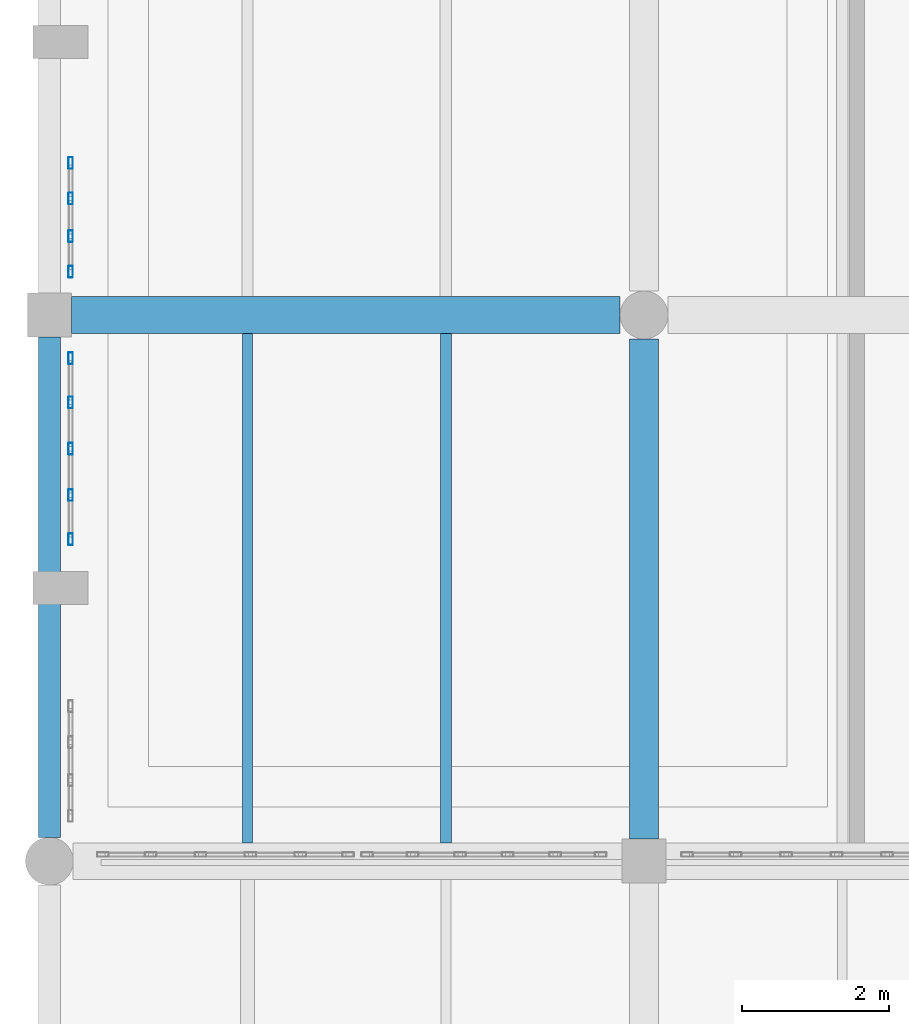
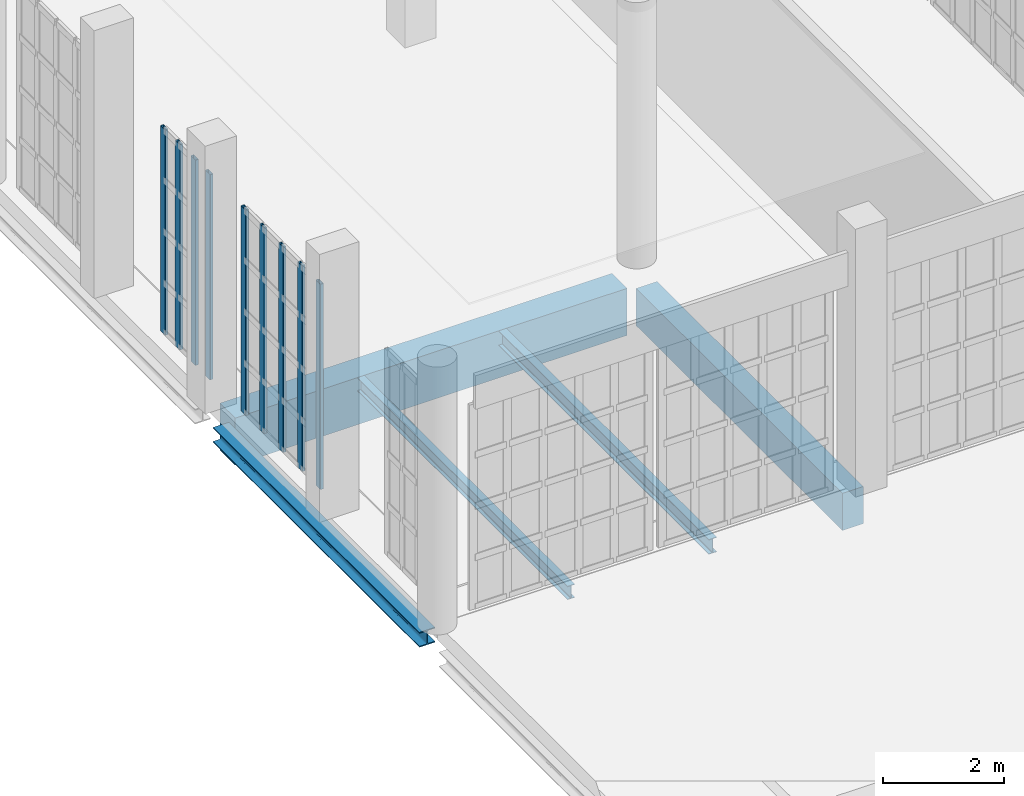
# One storey, part 63 of 372: 9 members, 5 beams, 2 elements without a shape of their own.
"""IFC4 building model written with IfcOpenShell, lengths in metres."""

from ifc_helpers import new_model, si_unit, direction, frame, origin, origin_2d, place, context, subcontext, project, spatial, rectangle, hollow_rectangle, i_section, extrude, material, material_profile, profile_set, type_object, element, aggregate, save


model = new_model("IFC4")

# Units and contexts
model_context = context("Model", 3, precision=1e-05, world=origin(), true_north=direction((0.0, 1.0)))
body_context = subcontext(model_context, "Body", "Model", "MODEL_VIEW")
ifc_project = project(units=[si_unit("LENGTHUNIT", "METRE"), si_unit("AREAUNIT", "SQUARE_METRE"), si_unit("VOLUMEUNIT", "CUBIC_METRE"), si_unit("PLANEANGLEUNIT", "RADIAN"), si_unit("MASSUNIT", "GRAM", prefix="KILO")], contexts=[model_context])

# Site, building, storey
site_placement = place(None, origin())
site = spatial("IfcSite", under=ifc_project, at=site_placement, CompositionType="ELEMENT")
building_placement = place(site_placement, origin())
building = spatial("IfcBuilding", under=site, at=building_placement, Name="Kaelora Sail Theatre", CompositionType="ELEMENT")
storey_placement = place(building_placement, origin())
storey = spatial("IfcBuildingStorey", under=building, at=storey_placement, Name="L00", CompositionType="ELEMENT", Elevation=0.0)

# Curtain wall, members
ifc_material_1 = material(Name="Anodised aluminium and solar-control low-E IGU", Category="aluminium")
curtain_wall_type = type_object("IfcCurtainWallType", Name="ARC-CW-CW-FOY1", PredefinedType="NOTDEFINED", material=ifc_material_1)
curtain_wall_1_placement = place(storey_placement, origin())
curtain_wall_1 = element("IfcCurtainWall", 1, at=curtain_wall_1_placement, inside=storey, type_object=curtain_wall_type, Name="Glazed Colonnade/Courtyard Curtain Wall COLW-W-L00-03", PredefinedType="NOTDEFINED")
ifc_material_2 = material(Name="Anodised aluminium 6063-T6", Category="aluminium")
ifc_material_profile_1 = material_profile(ifc_material_2, hollow_rectangle(XDim=0.06005859375, YDim=0.159912109375, WallThickness=0.00390625, InnerFilletRadius=0.00390625, OuterFilletRadius=0.008056640625, at=origin_2d()), Name="ALU-MULL 60x160x4")
ifc_profile_set_1 = profile_set([ifc_material_profile_1], Name="Anodised aluminium 6063-T6")
member_type = type_object("IfcMemberType", Name="ARC-MEM-ML-160", PredefinedType="MULLION", material=ifc_profile_set_1)
member_1_placement = place(storey_placement, frame((1.7900390625, 35.64501953125, 0.0), z_axis=(0.0, 0.0, 1.0), x_axis=(-1.0, 0.0, 0.0)))
member_1 = element("IfcMember", 2, at=member_1_placement, type_object=member_type, Name="CW-FOY1 mullion 1", PredefinedType="MULLION", context=body_context, shape_type="SweptSolid", body=[
    extrude(hollow_rectangle(XDim=0.06005859375, YDim=0.159912109375, WallThickness=0.00390625, InnerFilletRadius=0.00390625, OuterFilletRadius=0.008056640625, at=origin_2d()), origin(), (0.0, 0.0, 1.0), 4.136962890625),
])
member_2_placement = place(storey_placement, frame((1.7900390625, 36.246337890625, 0.0), z_axis=(0.0, 0.0, 1.0), x_axis=(-1.0, 0.0, 0.0)))
member_2 = element("IfcMember", 3, at=member_2_placement, type_object=member_type, Name="CW-FOY1 mullion 2", PredefinedType="MULLION", context=body_context, shape_type="SweptSolid", body=[
    extrude(hollow_rectangle(XDim=0.06005859375, YDim=0.159912109375, WallThickness=0.00390625, InnerFilletRadius=0.00390625, OuterFilletRadius=0.008056640625, at=origin_2d()), origin(), (0.0, 0.0, 1.0), 4.136962890625),
])
member_3_placement = place(storey_placement, frame((1.7900390625, 36.87744140625, 0.0), z_axis=(0.0, 0.0, 1.0), x_axis=(-1.0, 0.0, 0.0)))
member_3 = element("IfcMember", 4, at=member_3_placement, type_object=member_type, Name="CW-FOY1 mullion 3", PredefinedType="MULLION", context=body_context, shape_type="SweptSolid", body=[
    extrude(hollow_rectangle(XDim=0.06005859375, YDim=0.159912109375, WallThickness=0.00390625, InnerFilletRadius=0.00390625, OuterFilletRadius=0.008056640625, at=origin_2d()), origin(), (0.0, 0.0, 1.0), 4.136962890625),
])
member_4_placement = place(storey_placement, frame((1.7900390625, 37.5087890625, 0.0), z_axis=(0.0, 0.0, 1.0), x_axis=(-1.0, 0.0, 0.0)))
member_4 = element("IfcMember", 5, at=member_4_placement, type_object=member_type, Name="CW-FOY1 mullion 4", PredefinedType="MULLION", context=body_context, shape_type="SweptSolid", body=[
    extrude(hollow_rectangle(XDim=0.06005859375, YDim=0.159912109375, WallThickness=0.00390625, InnerFilletRadius=0.00390625, OuterFilletRadius=0.008056640625, at=origin_2d()), origin(), (0.0, 0.0, 1.0), 4.136962890625),
])
member_5_placement = place(storey_placement, frame((1.7900390625, 38.110107421875, 0.0), z_axis=(0.0, 0.0, 1.0), x_axis=(-1.0, 0.0, 0.0)))
member_5 = element("IfcMember", 6, at=member_5_placement, type_object=member_type, Name="CW-FOY1 mullion 5", PredefinedType="MULLION", context=body_context, shape_type="SweptSolid", body=[
    extrude(hollow_rectangle(XDim=0.06005859375, YDim=0.159912109375, WallThickness=0.00390625, InnerFilletRadius=0.00390625, OuterFilletRadius=0.008056640625, at=origin_2d()), origin(), (0.0, 0.0, 1.0), 4.136962890625),
])
aggregate(curtain_wall_1, [member_1, member_2, member_3, member_4, member_5])

curtain_wall_2_placement = place(storey_placement, origin())
curtain_wall_2 = element("IfcCurtainWall", 7, at=curtain_wall_2_placement, inside=storey, type_object=curtain_wall_type, Name="Glazed Colonnade/Courtyard Curtain Wall COLW-W-L00-04", PredefinedType="NOTDEFINED")
member_6_placement = place(storey_placement, frame((1.7900390625, 39.2900390625, 0.0), z_axis=(0.0, 0.0, 1.0), x_axis=(-1.0, 0.0, 0.0)))
member_6 = element("IfcMember", 8, at=member_6_placement, type_object=member_type, Name="CW-FOY1 mullion 1", PredefinedType="MULLION", context=body_context, shape_type="SweptSolid", body=[
    extrude(hollow_rectangle(XDim=0.06005859375, YDim=0.159912109375, WallThickness=0.00390625, InnerFilletRadius=0.00390625, OuterFilletRadius=0.008056640625, at=origin_2d()), origin(), (0.0, 0.0, 1.0), 4.136962890625),
])
member_7_placement = place(storey_placement, frame((1.7900390625, 39.7734375, 0.0), z_axis=(0.0, 0.0, 1.0), x_axis=(-1.0, 0.0, 0.0)))
member_7 = element("IfcMember", 9, at=member_7_placement, type_object=member_type, Name="CW-FOY1 mullion 2", PredefinedType="MULLION", context=body_context, shape_type="SweptSolid", body=[
    extrude(hollow_rectangle(XDim=0.06005859375, YDim=0.159912109375, WallThickness=0.00390625, InnerFilletRadius=0.00390625, OuterFilletRadius=0.008056640625, at=origin_2d()), origin(), (0.0, 0.0, 1.0), 4.136962890625),
])
member_8_placement = place(storey_placement, frame((1.7900390625, 40.28662109375, 0.0), z_axis=(0.0, 0.0, 1.0), x_axis=(-1.0, 0.0, 0.0)))
member_8 = element("IfcMember", 10, at=member_8_placement, type_object=member_type, Name="CW-FOY1 mullion 3", PredefinedType="MULLION", context=body_context, shape_type="SweptSolid", body=[
    extrude(hollow_rectangle(XDim=0.06005859375, YDim=0.159912109375, WallThickness=0.00390625, InnerFilletRadius=0.00390625, OuterFilletRadius=0.008056640625, at=origin_2d()), origin(), (0.0, 0.0, 1.0), 4.136962890625),
])
member_9_placement = place(storey_placement, frame((1.7900390625, 40.77001953125, 0.0), z_axis=(0.0, 0.0, 1.0), x_axis=(-1.0, 0.0, 0.0)))
member_9 = element("IfcMember", 11, at=member_9_placement, type_object=member_type, Name="CW-FOY1 mullion 4", PredefinedType="MULLION", context=body_context, shape_type="SweptSolid", body=[
    extrude(hollow_rectangle(XDim=0.06005859375, YDim=0.159912109375, WallThickness=0.00390625, InnerFilletRadius=0.00390625, OuterFilletRadius=0.008056640625, at=origin_2d()), origin(), (0.0, 0.0, 1.0), 4.136962890625),
])
aggregate(curtain_wall_2, [member_6, member_7, member_8, member_9])

# Beams
ifc_material_3 = material(Name="Concrete C40/50", Category="concrete")
ifc_material_profile_2 = material_profile(ifc_material_3, rectangle(XDim=0.39990234375, YDim=0.75, at=origin_2d()), Name="RC-BM 400x750")
ifc_profile_set_2 = profile_set([ifc_material_profile_2], Name="Concrete C40/50")
beam_type_1 = type_object("IfcBeamType", Name="STR-BM-BM-RC4075", PredefinedType="BEAM", material=ifc_profile_set_2)
beam_1_placement = place(storey_placement, frame((9.60009765625, 31.56005859375, -0.695068359375), z_axis=(0.0, 1.0, 0.0), x_axis=(-1.0, 0.0, 0.0)))
element("IfcBeam", 12, at=beam_1_placement, inside=storey, type_object=beam_type_1, Name="Primary beam 2 E-F (L00)", PredefinedType="BEAM", context=body_context, shape_type="SweptSolid", body=[
    extrude(rectangle(XDim=0.39990234375, YDim=0.75, at=origin_2d()), origin(), (0.0, 0.0, 1.0), 6.81494140625),
])
ifc_material_4 = material(Name="Concrete C45/55", Category="concrete")
ifc_material_profile_3 = material_profile(ifc_material_4, rectangle(XDim=0.5, YDim=0.949951171875, at=origin_2d()), Name="RC-GRD 500x950")
ifc_profile_set_3 = profile_set([ifc_material_profile_3], Name="Concrete C45/55")
beam_type_2 = type_object("IfcBeamType", Name="STR-BM-GR-RC5095", PredefinedType="T_BEAM", material=ifc_profile_set_3)
beam_2_placement = place(storey_placement, frame((1.800048828125, 38.699951171875, -0.794921875), z_axis=(1.0, 0.0, 0.0), x_axis=(0.0, 1.0, 0.0)))
element("IfcBeam", 13, at=beam_2_placement, inside=storey, type_object=beam_type_2, Name="Primary beam F 1-2 (L00)", PredefinedType="T_BEAM", context=body_context, shape_type="SweptSolid", body=[
    extrude(rectangle(XDim=0.5, YDim=0.949951171875, at=origin_2d()), origin(), (0.0, 0.0, 1.0), 7.474853515625),
])
ifc_material_5 = material(Name="Steel S355", Category="steel")
ifc_material_profile_4 = material_profile(ifc_material_5, i_section(OverallWidth=0.135009765625, OverallDepth=0.27001953125, WebThickness=0.006591796875, FlangeThickness=0.01025390625, FilletRadius=0.014892578125, at=origin_2d()), Name="IPE 270")
ifc_profile_set_4 = profile_set([ifc_material_profile_4], Name="Steel S355")
beam_type_3 = type_object("IfcBeamType", Name="STR-BM-JS-IPE270", PredefinedType="JOIST", material=ifc_profile_set_4)
beam_3_placement = place(storey_placement, frame((4.199951171875, 31.510009765625, -0.455078125), z_axis=(0.0, 1.0, 0.0), x_axis=(-1.0, 0.0, 0.0)))
element("IfcBeam", 14, at=beam_3_placement, inside=storey, type_object=beam_type_3, Name="Secondary floor joist 1/E-1 (L00)", PredefinedType="JOIST", context=body_context, shape_type="SweptSolid", body=[
    extrude(i_section(OverallWidth=0.135009765625, OverallDepth=0.27001953125, WebThickness=0.006591796875, FlangeThickness=0.01025390625, FilletRadius=0.014892578125, at=origin_2d()), origin(), (0.0, 0.0, 1.0), 6.93994140625),
])
ifc_material_6 = material(Name="Steel S355", Category="steel")
ifc_material_profile_5 = material_profile(ifc_material_6, i_section(OverallWidth=0.14990234375, OverallDepth=0.300048828125, WebThickness=0.007080078125, FlangeThickness=0.0107421875, FilletRadius=0.014892578125, at=origin_2d()), Name="IPE 300")
ifc_profile_set_5 = profile_set([ifc_material_profile_5], Name="Steel S355")
beam_type_4 = type_object("IfcBeamType", Name="STR-BM-JS-IPE300", PredefinedType="JOIST", material=ifc_profile_set_5)
beam_4_placement = place(storey_placement, frame((6.89990234375, 31.510009765625, -0.469970703125), z_axis=(0.0, 1.0, 0.0), x_axis=(-1.0, 0.0, 0.0)))
element("IfcBeam", 15, at=beam_4_placement, inside=storey, type_object=beam_type_4, Name="Secondary floor joist 1/E-2 (L00)", PredefinedType="JOIST", context=body_context, shape_type="SweptSolid", body=[
    extrude(i_section(OverallWidth=0.14990234375, OverallDepth=0.300048828125, WebThickness=0.007080078125, FlangeThickness=0.0107421875, FilletRadius=0.014892578125, at=origin_2d()), origin(), (0.0, 0.0, 1.0), 6.93994140625),
])
ifc_material_7 = material(Name="Steel S355", Category="steel")
ifc_material_profile_6 = material_profile(ifc_material_7, i_section(OverallWidth=0.300048828125, OverallDepth=0.300048828125, WebThickness=0.010986328125, FlangeThickness=0.01904296875, FilletRadius=0.027099609375, at=origin_2d()), Name="HEB 300")
ifc_profile_set_6 = profile_set([ifc_material_profile_6], Name="Steel S355")
beam_type_5 = type_object("IfcBeamType", Name="STR-BM-SP-HEB300", PredefinedType="SPANDREL", material=ifc_profile_set_6)
beam_5_placement = place(storey_placement, frame((1.5, 31.5849609375, -0.469970703125), z_axis=(0.0, 1.0, 0.0), x_axis=(-1.0, 0.0, 0.0)))
element("IfcBeam", 16, at=beam_5_placement, inside=storey, type_object=beam_type_5, Name="Primary beam 1 E-F (L00)", PredefinedType="SPANDREL", context=body_context, shape_type="SweptSolid", body=[
    extrude(i_section(OverallWidth=0.300048828125, OverallDepth=0.300048828125, WebThickness=0.010986328125, FlangeThickness=0.01904296875, FilletRadius=0.027099609375, at=origin_2d()), origin(), (0.0, 0.0, 1.0), 6.81494140625),
])

save(model, "model.ifc")
